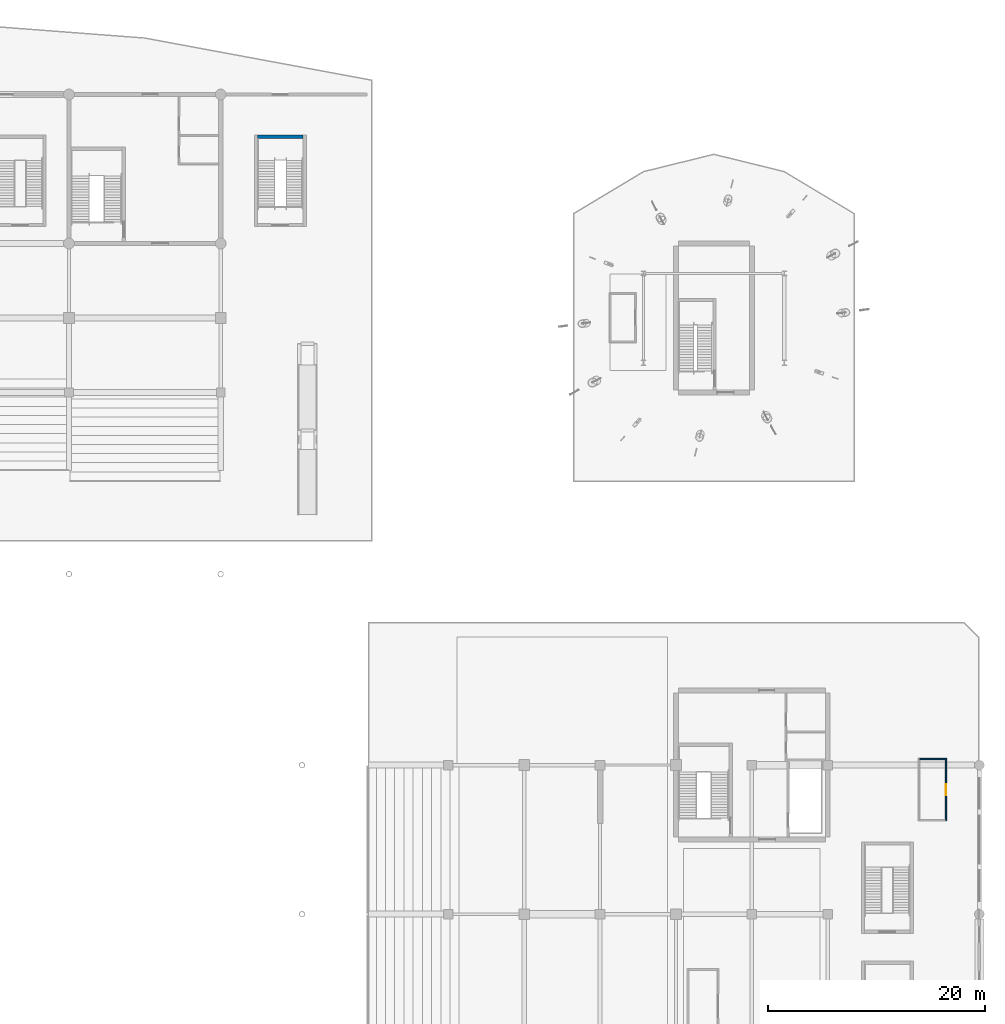
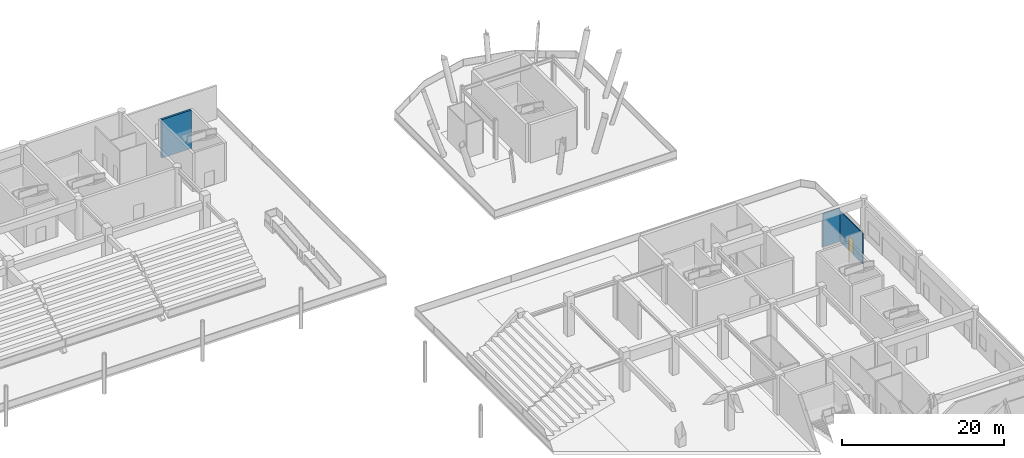
# One storey, part 52 of 73: 3 walls, 1 door, 1 opening.
"""IFC4 building model written with IfcOpenShell, lengths in metres."""

from ifc_helpers import new_model, si_unit, direction, frame, frame_2d, origin, place, context, subcontext, project, spatial, rectangle, extrude, material, layer, layer_set, type_object, element, fill, save


model = new_model("IFC4")

# Units and contexts
model_context = context("Model", 3, precision=1e-05, world=origin(), true_north=direction((0.0, 1.0)))
body_context = subcontext(model_context, "Body", "Model", "MODEL_VIEW")
ifc_project = project(units=[si_unit("LENGTHUNIT", "METRE"), si_unit("AREAUNIT", "SQUARE_METRE"), si_unit("VOLUMEUNIT", "CUBIC_METRE"), si_unit("PLANEANGLEUNIT", "RADIAN"), si_unit("MASSUNIT", "GRAM", prefix="KILO")], contexts=[model_context])

# Site, building, storey
site_placement = place(None, origin())
site = spatial("IfcSite", under=ifc_project, at=site_placement, CompositionType="ELEMENT")
building_placement = place(site_placement, origin())
building = spatial("IfcBuilding", under=site, at=building_placement, Name="Linyun Crest Stadium", CompositionType="ELEMENT")
storey_placement = place(building_placement, origin())
storey = spatial("IfcBuildingStorey", under=building, at=storey_placement, Name="L01", CompositionType="ELEMENT", Elevation=0.0)

# Wall, opening, door
ifc_material_1 = material(Name="Lightweight demountable office partition")
ifc_layer_1 = layer(ifc_material_1, 0.110107421875)
ifc_layer_set_1 = layer_set([ifc_layer_1], Name="Lightweight demountable office partition")
wall_type_1 = type_object("IfcWallType", Name="PW18", PredefinedType="PARTITIONING", material=ifc_layer_set_1)
wall_1_placement = place(storey_placement, frame((94.9169921875, 43.993896484375, 0.0), z_axis=(0.0, 0.0, 1.0), x_axis=(0.0, -1.0, 0.0)))
wall_1 = element("IfcWall", 1, at=wall_1_placement, inside=storey, type_object=wall_type_1, Name="Partition PW18 L01 167", PredefinedType="PARTITIONING", context=body_context, shape_type="SweptSolid", body=[
    extrude(rectangle(XDim=5.760009765625, YDim=0.110107421875, at=frame_2d((2.8798828125, 0.0))), origin(), (0.0, 0.0, 1.0), 4.625),
])
opening_placement = place(wall_1_placement, frame((2.3798828125, 0.0, 0.0)))
opening = element("IfcOpeningElement", 2, at=opening_placement, cuts=wall_1, Name="Opening D-L01-430", PredefinedType="OPENING", context=body_context, shape_type="SweptSolid", body=[
    extrude(rectangle(XDim=1.0, YDim=2.14990234375, at=frame_2d((0.5, 1.074951171875))), frame((0.0, 0.06494140625, 0.0), z_axis=(0.0, -1.0, 0.0), x_axis=(1.0, 0.0, 0.0)), (0.0, 0.0, 1.0), 0.130126953125),
])
ifc_material_2 = material(Name="Hardwood veneer acoustic leaf", Category="wood")
ifc_layer_2 = layer(ifc_material_2, 0.044921875)
ifc_layer_set_2 = layer_set([ifc_layer_2], Name="Hardwood veneer acoustic leaf")
door_type = type_object("IfcDoorType", Name="ID01", OperationType="NOTDEFINED", PredefinedType="DOOR", material=ifc_layer_set_2)
door_placement = place(opening_placement, origin())
door = element("IfcDoor", 3, at=door_placement, inside=storey, type_object=door_type, Name="Door D-L01-430", OperationType="SINGLE_SWING_RIGHT", OverallHeight=2.14990234375, OverallWidth=1.0, PredefinedType="DOOR", context=body_context, shape_type="SweptSolid", body=[
    extrude(rectangle(XDim=1.0, YDim=2.14990234375, at=frame_2d((0.5, 1.074951171875))), frame((0.0, 0.02490234375, 0.0), z_axis=(0.0, -1.0, 0.0), x_axis=(1.0, 0.0, 0.0)), (0.0, 0.0, 1.0), 0.050048828125),
])
fill(opening, door)

# Walls
wall_2_placement = place(storey_placement, frame((92.471923828125, 43.93896484375, 0.0), z_axis=(0.0, 0.0, 1.0), x_axis=(1.0, 0.0, 0.0)))
element("IfcWall", 4, at=wall_2_placement, inside=storey, type_object=wall_type_1, Name="Enclosure partition PW18 L01 219", PredefinedType="PARTITIONING", context=body_context, shape_type="SweptSolid", body=[
    extrude(rectangle(XDim=2.39013671875, YDim=0.110107421875, at=frame_2d((1.195068359375, 0.0))), origin(), (0.0, 0.0, 1.0), 5.02001953125),
])
ifc_material_3 = material(Name="Concrete C50", Category="concrete")
ifc_layer_3 = layer(ifc_material_3, 0.300048828125)
ifc_layer_set_3 = layer_set([ifc_layer_3], Name="Concrete C50")
wall_type_2 = type_object("IfcWallType", Name="SW01", PredefinedType="SHEAR", material=ifc_layer_set_3)
wall_3_placement = place(storey_placement, frame((31.39990234375, 101.35009765625, 0.0), z_axis=(0.0, 0.0, 1.0), x_axis=(1.0, 0.0, 0.0)))
element("IfcWall", 5, at=wall_3_placement, inside=storey, type_object=wall_type_2, Name="Stair shaft wall SW01 STR-26 L01 N", PredefinedType="SHEAR", context=body_context, shape_type="SweptSolid", body=[
    extrude(rectangle(XDim=4.2001953125, YDim=0.300048828125, at=frame_2d((2.10009765625, 0.0))), origin(), (0.0, 0.0, 1.0), 5.780029296875),
])

save(model, "model.ifc")
